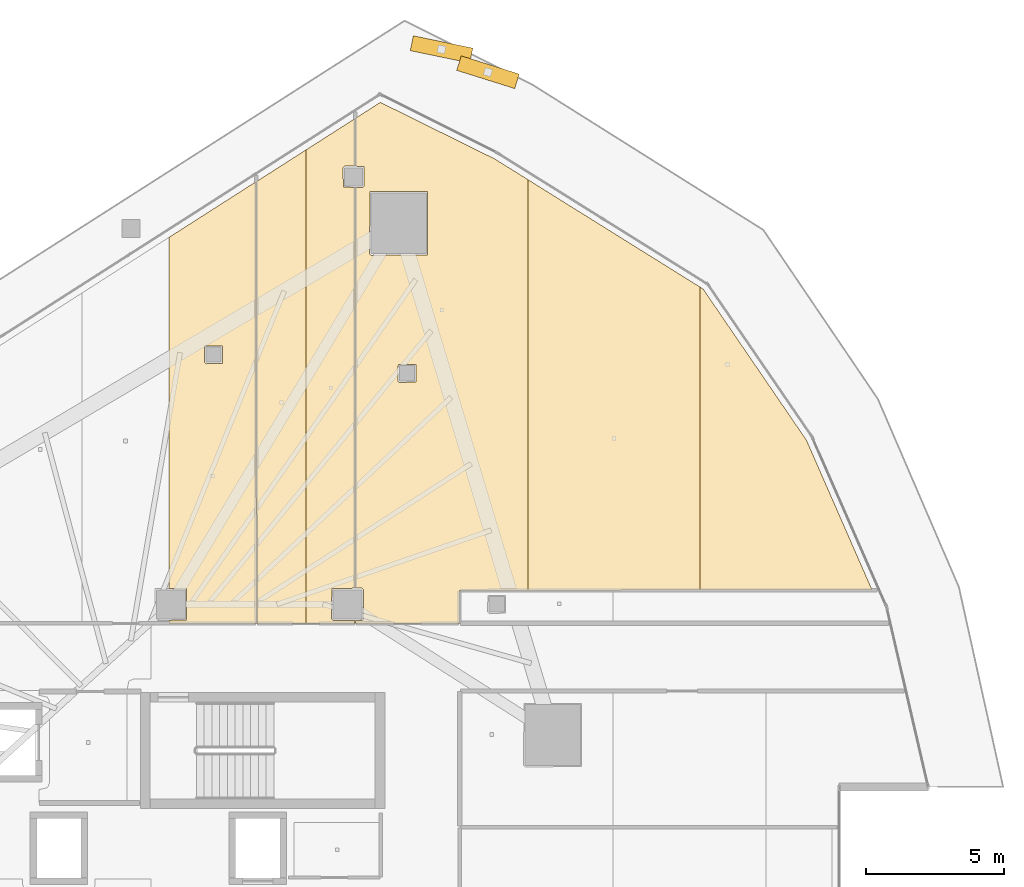
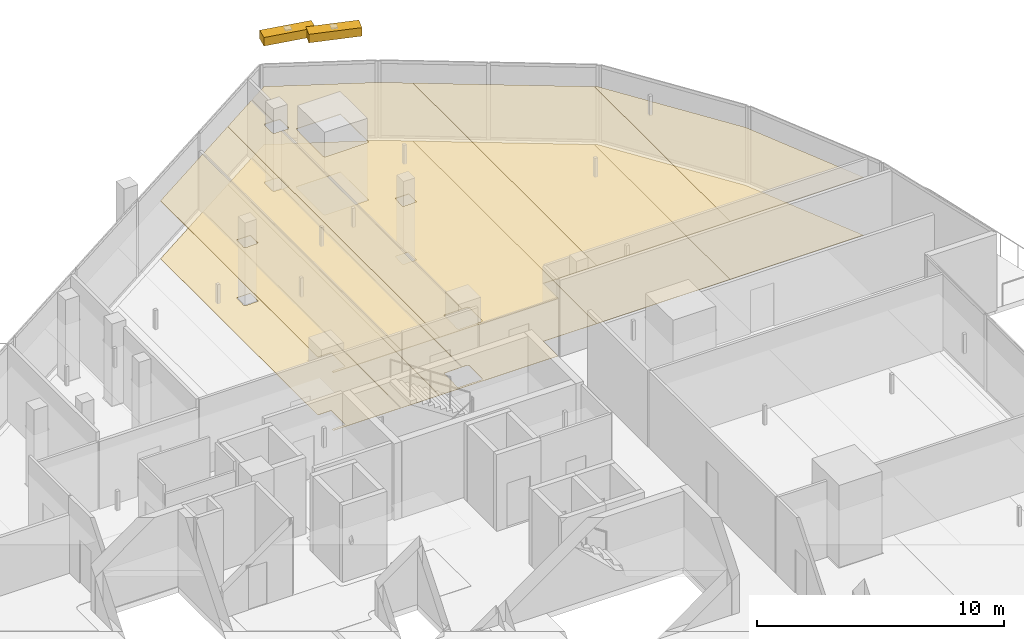
# One storey, part 39 of 39: 12 coverings, 2 shading devices.
"""IFC4 building model written with IfcOpenShell, lengths in metres."""

import ifcopenshell
import ifcopenshell.guid

model = None  # the IFC model being written
_history = None  # IfcOwnerHistory: only IFC2X3 demands one
_inside = {}  # id of a spatial element -> (the spatial element, [elements in it])
_under = {}  # id of a project, library or spatial element -> (it, [spatial elements below it])
_declared = {}  # id of a project -> (the project, [libraries it declares])
_typed = {}  # id of a type object -> (the type object, [elements of that type])
_made_of = {}  # id of a material, layer set ... -> (it, [elements and type objects made of it])


def new_model(schema):
    """Start an empty IFC model of exactly this schema.

    Asked for "IFC4X3", IfcOpenShell would pick the latest addendum, in which some entities
    have other attributes; the version numbers below select the first issue.
    IFC2X3 requires an IfcOwnerHistory on every rooted entity: one is made here for all.
    """
    global model, _history
    if schema == "IFC4X3":
        model = ifcopenshell.file(schema_version=(4, 3, 0, 0))
    else:
        model = ifcopenshell.file(schema=schema)
    _inside.clear()
    _under.clear()
    _declared.clear()
    _typed.clear()
    _made_of.clear()
    _history = None
    if model.schema == "IFC2X3":
        org = make("IfcOrganization", Name="unknown")
        user = make(
            "IfcPersonAndOrganization",
            ThePerson=make("IfcPerson", FamilyName="unknown"),
            TheOrganization=org,
        )
        app = make(
            "IfcApplication",
            ApplicationDeveloper=org,
            Version="unknown",
            ApplicationFullName="unknown",
            ApplicationIdentifier="unknown",
        )
        _history = make(
            "IfcOwnerHistory",
            OwningUser=user,
            OwningApplication=app,
            ChangeAction="ADDED",
            CreationDate=0,
        )
    return model


def make(cls, **values):
    """One entity of the class cls with the attributes given. An attribute that is None is left unset."""
    return model.create_entity(
        cls, **{name: value for name, value in values.items() if value is not None}
    )


def rooted(cls, **values):
    """An entity with a GlobalId (a new one), such as an element, a storey or a relation."""
    return make(cls, GlobalId=ifcopenshell.guid.new(), OwnerHistory=_history, **values)


def si_unit(unit_type, name, prefix=None):
    """IfcSIUnit, for example si_unit("LENGTHUNIT", "METRE", prefix="MILLI")."""
    return make("IfcSIUnit", UnitType=unit_type, Prefix=prefix, Name=name)


def assignment(units):
    """IfcUnitAssignment: the units of a project."""
    return None if units is None else make("IfcUnitAssignment", Units=units)


def point(xyz):
    """IfcCartesianPoint."""
    return None if xyz is None else make("IfcCartesianPoint", Coordinates=xyz)


def direction(xyz):
    """IfcDirection."""
    return None if xyz is None else make("IfcDirection", DirectionRatios=xyz)


def frame(location, z_axis=None, x_axis=None):
    """IfcAxis2Placement3D, a coordinate frame: its origin and axes. An axis left out is left unset."""
    return make(
        "IfcAxis2Placement3D",
        Location=point(location),
        Axis=direction(z_axis),
        RefDirection=direction(x_axis),
    )


def frame_2d(location, x_axis=None):
    """IfcAxis2Placement2D, a coordinate frame in the plane: its origin and x axis."""
    return make(
        "IfcAxis2Placement2D", Location=point(location), RefDirection=direction(x_axis)
    )


def origin():
    """The frame at (0, 0, 0) with its axes left unset."""
    return frame((0.0, 0.0, 0.0))


def origin_2d():
    """The frame at (0, 0) in the plane with its x axis left unset."""
    return frame_2d((0.0, 0.0))


def place(relative_to, where):
    """IfcLocalPlacement: puts the frame where relative to a parent placement (None: the world)."""
    return make(
        "IfcLocalPlacement", PlacementRelTo=relative_to, RelativePlacement=where
    )


def context(
    kind, dimensions, precision=None, world=None, true_north=None, identifier=None
):
    """IfcGeometricRepresentationContext, for example the 3D "Model" context."""
    return make(
        "IfcGeometricRepresentationContext",
        ContextIdentifier=identifier,
        ContextType=kind,
        CoordinateSpaceDimension=dimensions,
        Precision=precision,
        WorldCoordinateSystem=world,
        TrueNorth=true_north,
    )


def subcontext(parent, identifier, kind, view, scale=None):
    """IfcGeometricRepresentationSubContext, for example "Body" below "Model"."""
    return make(
        "IfcGeometricRepresentationSubContext",
        ContextIdentifier=identifier,
        ContextType=kind,
        ParentContext=parent,
        TargetScale=scale,
        TargetView=view,
    )


def project(units=None, contexts=None):
    """IfcProject with its units and contexts."""
    return rooted(
        "IfcProject",
        Name="project",
        RepresentationContexts=contexts,
        UnitsInContext=assignment(units),
    )


def spatial(cls, under=None, at=None, **own):
    """A site, building, storey or space (cls), placed at a placement, below another one or the project."""
    s = rooted(cls, ObjectPlacement=at, **own)
    if under is not None:
        _under.setdefault(under.id(), (under, []))[1].append(s)
    return s


def polyline(points):
    """IfcPolyline through the points."""
    return make("IfcPolyline", Points=[point(p) for p in points])


def profile(cls, at=None, kind="AREA", **sizes):
    """A parametric profile (cls). Its sizes go by their IFC names, for example OverallWidth=200.0."""
    return make(cls, ProfileType=kind, Position=at, **sizes)


def rectangle(**sizes):
    """IfcRectangleProfileDef."""
    return profile("IfcRectangleProfileDef", **sizes)


def outline(outer, holes=None, kind="AREA"):
    """IfcArbitraryClosedProfileDef: a profile drawn as a closed curve; with holes, ...WithVoids."""
    if holes is None:
        return make("IfcArbitraryClosedProfileDef", ProfileType=kind, OuterCurve=outer)
    return make(
        "IfcArbitraryProfileDefWithVoids",
        ProfileType=kind,
        OuterCurve=outer,
        InnerCurves=holes,
    )


def extrude(swept, where, along, depth):
    """IfcExtrudedAreaSolid: the profile swept, set in the frame where, extruded along a direction by depth."""
    return make(
        "IfcExtrudedAreaSolid",
        SweptArea=swept,
        Position=where,
        ExtrudedDirection=direction(along),
        Depth=depth,
    )


def shape(context_of_items, identifier, shape_type, items):
    """IfcShapeRepresentation: the items that make up one representation, for example the "Body"."""
    return make(
        "IfcShapeRepresentation",
        ContextOfItems=context_of_items,
        RepresentationIdentifier=identifier,
        RepresentationType=shape_type,
        Items=items,
    )


def material(Name=None, Category=None):
    """IfcMaterial."""
    return make("IfcMaterial", Name=Name, Category=Category)


def layer(
    of_material, thickness, ventilated=None, Name=None, Category=None, Priority=None
):
    """IfcMaterialLayer: one layer of a wall or slab, of a material (None: an air gap)."""
    return make(
        "IfcMaterialLayer",
        Material=of_material,
        LayerThickness=thickness,
        IsVentilated=ventilated,
        Name=Name,
        Category=Category,
        Priority=Priority,
    )


def layer_set(layers, Name=None):
    """IfcMaterialLayerSet."""
    return make("IfcMaterialLayerSet", MaterialLayers=layers, LayerSetName=Name)


def made_of(thing, what):
    """Note that an element or type object is made of a material, layer set ...; save() writes the relation."""
    if what is not None:
        _made_of.setdefault(what.id(), (what, []))[1].append(thing)
    return thing


def type_object(cls, material=None, **own):
    """A type object (cls), such as IfcWallType, which elements share."""
    return made_of(rooted(cls, **own), material)


def element(
    cls,
    number,
    at=None,
    inside=None,
    cuts=None,
    type_object=None,
    material=None,
    context=None,
    identifier="Body",
    shape_type=None,
    held_by="IfcProductDefinitionShape",
    body=None,
    shapes=None,
    **own,
):
    """One element of the class cls, such as IfcWall. Its Tag is "e" and its number.

    at: its placement. inside: the storey or other place that contains it. cuts: it is an
    opening in that element (IfcRelVoidsElement). A single representation is given by context,
    identifier, shape_type and body (its items); several are given by shapes. held_by: the class
    of the entity that holds the representations. save() writes the other relations.
    """
    e = rooted(cls, Tag="e%d" % number, ObjectPlacement=at, **own)
    if body is not None:
        shapes = [shape(context, identifier, shape_type, body)]
    if shapes is not None:
        e.Representation = make(held_by, Representations=shapes)
    if inside is not None:
        _inside.setdefault(inside.id(), (inside, []))[1].append(e)
    if cuts is not None:
        rooted(
            "IfcRelVoidsElement", RelatingBuildingElement=cuts, RelatedOpeningElement=e
        )
    if type_object is not None:
        _typed.setdefault(type_object.id(), (type_object, []))[1].append(e)
    return made_of(e, material)


def aggregate(whole, parts):
    """IfcRelAggregates: a whole, such as a stair, and the parts it consists of."""
    return rooted("IfcRelAggregates", RelatingObject=whole, RelatedObjects=parts)


def save(model, path):
    """Write the relations noted so far, then the file.

    IfcRelAggregates (storeys below a building ...), IfcRelContainedInSpatialStructure (elements
    in a storey), IfcRelDefinesByType, IfcRelAssociatesMaterial and IfcRelDeclares: one each for
    every whole, place, type object, material and project.
    """
    for whole, parts in _under.values():
        aggregate(whole, parts)
    for where, things in _inside.values():
        rooted(
            "IfcRelContainedInSpatialStructure",
            RelatedElements=things,
            RelatingStructure=where,
        )
    for kind, things in _typed.values():
        rooted("IfcRelDefinesByType", RelatedObjects=things, RelatingType=kind)
    for what, things in _made_of.values():
        rooted("IfcRelAssociatesMaterial", RelatedObjects=things, RelatingMaterial=what)
    for by, libraries in _declared.values():
        rooted("IfcRelDeclares", RelatingContext=by, RelatedDefinitions=libraries)
    model.write(path)


model = new_model("IFC4")

# Units and contexts
model_context = context("Model", 3, precision=1e-05, world=origin(), true_north=direction((0.0, 1.0)))
body_context = subcontext(model_context, "Body", "Model", "MODEL_VIEW")
ifc_project = project(units=[si_unit("LENGTHUNIT", "METRE"), si_unit("AREAUNIT", "SQUARE_METRE"), si_unit("VOLUMEUNIT", "CUBIC_METRE"), si_unit("PLANEANGLEUNIT", "RADIAN"), si_unit("MASSUNIT", "GRAM", prefix="KILO")], contexts=[model_context])

# Site, building, storey
site_placement = place(None, origin())
site = spatial("IfcSite", under=ifc_project, at=site_placement, CompositionType="ELEMENT")
building_placement = place(site_placement, origin())
building = spatial("IfcBuilding", under=site, at=building_placement, Name="Qorvath Tower", CompositionType="ELEMENT")
storey_placement = place(building_placement, frame((0.0, 0.0, 142.199951171875)))
storey = spatial("IfcBuildingStorey", under=building, at=storey_placement, Name="L32", CompositionType="ELEMENT", Elevation=142.199951171875)

# Coverings
ifc_material_1 = material(Name="Acoustic mineral fibre ceiling tile", Category="gypsum")
ifc_layer_1 = layer(ifc_material_1, 0.030029296875)
ifc_layer_set_1 = layer_set([ifc_layer_1], Name="COV-CEIL")
covering_type_1 = type_object("IfcCoveringType", Name="COV-CEIL", PredefinedType="CEILING", material=ifc_layer_set_1)
covering_1_placement = place(storey_placement, frame((0.0, 0.0, 2.85009765625)))
element("IfcCovering", 1, at=covering_1_placement, inside=storey, type_object=covering_type_1, Name="L32 Suspended Acoustic Ceiling 015", PredefinedType="CEILING", context=body_context, shape_type="SweptSolid", body=[
    extrude(outline(polyline([(-20.510009765625, 26.754150390625), (-23.658203125, 24.740478515625), (-23.658203125, 12.017333984375), (-23.032470703125, 12.017333984375), (-23.032470703125, 10.882568359375), (-23.658203125, 10.87255859375), (-23.658203125, 10.762939453125), (-20.504150390625, 10.762939453125), (-20.510009765625, 26.754150390625)]), holes=[polyline([(-22.38818359375, 20.219970703125), (-22.37060546875, 20.812255859375), (-21.73583984375, 20.812255859375), (-21.73583984375, 20.177490234375), (-22.328125, 20.159912109375), (-22.38818359375, 20.219970703125)])]), origin(), (0.0, 0.0, 1.0), 0.030029296875),
])
covering_2_placement = place(storey_placement, frame((0.0, 0.0, 2.85009765625)))
element("IfcCovering", 2, at=covering_2_placement, inside=storey, type_object=covering_type_1, Name="L32 Suspended Acoustic Ceiling 016", PredefinedType="CEILING", context=body_context, shape_type="SweptSolid", body=[
    extrude(outline(polyline([(-18.697021484375, 10.762939453125), (-18.697021484375, 27.907958984375), (-20.491943359375, 26.7607421875), (-20.486328125, 10.762939453125), (-18.697021484375, 10.762939453125)])), origin(), (0.0, 0.0, 1.0), 0.030029296875),
])
covering_3_placement = place(storey_placement, frame((0.0, 0.0, 2.85009765625)))
element("IfcCovering", 3, at=covering_3_placement, inside=storey, type_object=covering_type_1, Name="L32 Suspended Acoustic Ceiling 017", PredefinedType="CEILING", context=body_context, shape_type="SweptSolid", body=[
    extrude(outline(polyline([(-17.30615234375, 27.314208984375), (-16.923583984375, 27.314208984375), (-16.923583984375, 29.04150390625), (-18.697021484375, 27.907958984375), (-18.697021484375, 10.762939453125), (-16.923583984375, 10.762939453125), (-16.923583984375, 10.864990234375), (-17.72509765625, 10.864990234375), (-17.784912109375, 10.925048828125), (-17.767333984375, 12.017333984375), (-16.923583984375, 12.034912109375), (-16.923583984375, 26.544189453125), (-17.3486328125, 26.561767578125), (-17.3662109375, 27.254150390625), (-17.30615234375, 27.314208984375)])), origin(), (0.0, 0.0, 1.0), 0.030029296875),
])
covering_4_placement = place(storey_placement, frame((0.0, 0.0, 2.85009765625)))
element("IfcCovering", 4, at=covering_4_placement, inside=storey, type_object=covering_type_1, Name="L32 Suspended Acoustic Ceiling 018", PredefinedType="CEILING", context=body_context, shape_type="SweptSolid", body=[
    extrude(outline(polyline([(-13.153564453125, 11.95458984375), (-10.674072265625, 11.95703125), (-10.674072265625, 26.82861328125), (-11.8681640625, 27.573974609375), (-16.012451171875, 29.623779296875), (-16.90576171875, 29.052978515625), (-16.90576171875, 27.314208984375), (-16.61376953125, 27.296630859375), (-16.59619140625, 26.604248046875), (-16.65625, 26.544189453125), (-16.90576171875, 26.544189453125), (-16.90576171875, 12.034912109375), (-16.675048828125, 12.034912109375), (-16.614990234375, 11.97509765625), (-16.614990234375, 10.925048828125), (-16.675048828125, 10.864990234375), (-16.90576171875, 10.864990234375), (-16.90576171875, 10.762939453125), (-13.155029296875, 10.762939453125), (-13.153564453125, 11.95458984375)]), holes=[polyline([(-16.404296875, 24.14599609375), (-16.38671875, 26.388427734375), (-14.3017578125, 26.388427734375), (-14.3017578125, 24.103759765625), (-16.34423828125, 24.086181640625), (-16.404296875, 24.14599609375)]), polyline([(-15.381103515625, 19.543212890625), (-15.363525390625, 20.135498046875), (-14.728759765625, 20.135498046875), (-14.728759765625, 19.500732421875), (-15.321044921875, 19.483154296875), (-15.381103515625, 19.543212890625)])]), origin(), (0.0, 0.0, 1.0), 0.030029296875),
])
covering_5_placement = place(storey_placement, frame((0.0, 0.0, 2.85009765625)))
element("IfcCovering", 5, at=covering_5_placement, inside=storey, type_object=covering_type_1, Name="L32 Suspended Acoustic Ceiling 019", PredefinedType="CEILING", context=body_context, shape_type="SweptSolid", body=[
    extrude(outline(polyline([(-10.674072265625, 26.82861328125), (-10.674072265625, 11.95703125), (-4.442626953125, 11.962890625), (-4.442626953125, 22.939453125), (-10.674072265625, 26.82861328125)])), origin(), (0.0, 0.0, 1.0), 0.030029296875),
])
covering_6_placement = place(storey_placement, frame((0.0, 0.0, 2.85009765625)))
element("IfcCovering", 6, at=covering_6_placement, inside=storey, type_object=covering_type_1, Name="L32 Suspended Acoustic Ceiling 020", PredefinedType="CEILING", context=body_context, shape_type="SweptSolid", body=[
    extrude(outline(polyline([(-4.442626953125, 22.939453125), (-4.442626953125, 11.962890625), (1.7890625, 11.96875), (-0.58447265625, 17.39208984375), (-4.326904296875, 22.8671875), (-4.442626953125, 22.939453125)])), origin(), (0.0, 0.0, 1.0), 0.030029296875),
])
ifc_material_2 = material(Name="Low-VOC modular carpet tile", Category="textile")
ifc_layer_2 = layer(ifc_material_2, 0.014892578125)
ifc_layer_set_2 = layer_set([ifc_layer_2], Name="COV-FLOOR-CPT")
covering_type_2 = type_object("IfcCoveringType", Name="COV-FLOOR-CPT", PredefinedType="FLOORING", material=ifc_layer_set_2)
covering_7_placement = place(storey_placement, origin())
element("IfcCovering", 7, at=covering_7_placement, inside=storey, type_object=covering_type_2, Name="L32 Floor Finish 015", PredefinedType="FLOORING", context=body_context, shape_type="SweptSolid", body=[
    extrude(outline(polyline([(-20.510009765625, 26.754150390625), (-23.658203125, 24.740478515625), (-23.658203125, 12.017333984375), (-23.032470703125, 12.017333984375), (-23.032470703125, 10.882568359375), (-23.658203125, 10.87255859375), (-23.658203125, 10.762939453125), (-20.504150390625, 10.762939453125), (-20.510009765625, 26.754150390625)]), holes=[polyline([(-22.38818359375, 20.219970703125), (-22.37060546875, 20.812255859375), (-21.73583984375, 20.812255859375), (-21.73583984375, 20.177490234375), (-22.328125, 20.159912109375), (-22.38818359375, 20.219970703125)])]), origin(), (0.0, 0.0, 1.0), 0.01513671875),
])
covering_8_placement = place(storey_placement, origin())
element("IfcCovering", 8, at=covering_8_placement, inside=storey, type_object=covering_type_2, Name="L32 Floor Finish 016", PredefinedType="FLOORING", context=body_context, shape_type="SweptSolid", body=[
    extrude(outline(polyline([(-18.697021484375, 10.762939453125), (-18.697021484375, 27.907958984375), (-20.491943359375, 26.7607421875), (-20.486328125, 10.762939453125), (-18.697021484375, 10.762939453125)])), origin(), (0.0, 0.0, 1.0), 0.01513671875),
])
covering_9_placement = place(storey_placement, origin())
element("IfcCovering", 9, at=covering_9_placement, inside=storey, type_object=covering_type_2, Name="L32 Floor Finish 017", PredefinedType="FLOORING", context=body_context, shape_type="SweptSolid", body=[
    extrude(outline(polyline([(-17.30615234375, 27.314208984375), (-16.923583984375, 27.314208984375), (-16.923583984375, 29.04150390625), (-18.697021484375, 27.907958984375), (-18.697021484375, 10.762939453125), (-16.923583984375, 10.762939453125), (-16.923583984375, 10.864990234375), (-17.72509765625, 10.864990234375), (-17.784912109375, 10.925048828125), (-17.767333984375, 12.017333984375), (-16.923583984375, 12.034912109375), (-16.923583984375, 26.544189453125), (-17.3486328125, 26.561767578125), (-17.3662109375, 27.254150390625), (-17.30615234375, 27.314208984375)])), origin(), (0.0, 0.0, 1.0), 0.01513671875),
])
covering_10_placement = place(storey_placement, origin())
element("IfcCovering", 10, at=covering_10_placement, inside=storey, type_object=covering_type_2, Name="L32 Floor Finish 018", PredefinedType="FLOORING", context=body_context, shape_type="SweptSolid", body=[
    extrude(outline(polyline([(-13.153564453125, 11.95458984375), (-10.674072265625, 11.95703125), (-10.674072265625, 26.82861328125), (-11.8681640625, 27.573974609375), (-16.012451171875, 29.623779296875), (-16.90576171875, 29.052978515625), (-16.90576171875, 27.314208984375), (-16.61376953125, 27.296630859375), (-16.59619140625, 26.604248046875), (-16.65625, 26.544189453125), (-16.90576171875, 26.544189453125), (-16.90576171875, 12.034912109375), (-16.675048828125, 12.034912109375), (-16.614990234375, 11.97509765625), (-16.614990234375, 10.925048828125), (-16.675048828125, 10.864990234375), (-16.90576171875, 10.864990234375), (-16.90576171875, 10.762939453125), (-13.155029296875, 10.762939453125), (-13.153564453125, 11.95458984375)]), holes=[polyline([(-16.404296875, 24.14599609375), (-16.38671875, 26.388427734375), (-14.3017578125, 26.388427734375), (-14.3017578125, 24.103759765625), (-16.34423828125, 24.086181640625), (-16.404296875, 24.14599609375)]), polyline([(-15.381103515625, 19.543212890625), (-15.363525390625, 20.135498046875), (-14.728759765625, 20.135498046875), (-14.728759765625, 19.500732421875), (-15.321044921875, 19.483154296875), (-15.381103515625, 19.543212890625)])]), origin(), (0.0, 0.0, 1.0), 0.01513671875),
])
covering_11_placement = place(storey_placement, origin())
element("IfcCovering", 11, at=covering_11_placement, inside=storey, type_object=covering_type_2, Name="L32 Floor Finish 019", PredefinedType="FLOORING", context=body_context, shape_type="SweptSolid", body=[
    extrude(outline(polyline([(-10.674072265625, 26.82861328125), (-10.674072265625, 11.95703125), (-4.442626953125, 11.962890625), (-4.442626953125, 22.939453125), (-10.674072265625, 26.82861328125)])), origin(), (0.0, 0.0, 1.0), 0.01513671875),
])
covering_12_placement = place(storey_placement, origin())
element("IfcCovering", 12, at=covering_12_placement, inside=storey, type_object=covering_type_2, Name="L32 Floor Finish 020", PredefinedType="FLOORING", context=body_context, shape_type="SweptSolid", body=[
    extrude(outline(polyline([(-4.442626953125, 22.939453125), (-4.442626953125, 11.962890625), (1.7890625, 11.96875), (-0.58447265625, 17.39208984375), (-4.326904296875, 22.8671875), (-4.442626953125, 22.939453125)])), origin(), (0.0, 0.0, 1.0), 0.01513671875),
])

# Shading devices
ifc_material_3 = material(Name="Anodised bronze-champagne aluminium", Category="aluminium")
shading_device_type = type_object("IfcShadingDeviceType", Name="SD-LOUVRE", PredefinedType="JALOUSIE", material=ifc_material_3)
for number, where, z_axis, x_axis, name in (
    (13, (-12.1162109375, 30.716064453125, 3.360107421875), (0.0, 0.0, 1.0), (-0.954099302916, 0.299490434197, 0.0), "Sinusoidal Wave Louvre Blade L32-05"),
    (14, (-13.7978515625, 31.542236328125, 3.360107421875), (0.0, 0.0, 1.0), (-0.979215377421, 0.202823185611, 0.0), "Sinusoidal Wave Louvre Blade L32-06"),
):
    element("IfcShadingDevice", number, at=place(storey_placement, frame(where, z_axis=z_axis, x_axis=x_axis)), inside=storey, type_object=shading_device_type, Name=name, PredefinedType="NOTDEFINED", context=body_context, shape_type="SweptSolid", body=[
        extrude(rectangle(XDim=2.199951171875, YDim=0.550048828125, at=origin_2d()), origin(), (0.0, 0.0, 1.0), 0.419921875),
    ])

save(model, "model.ifc")
